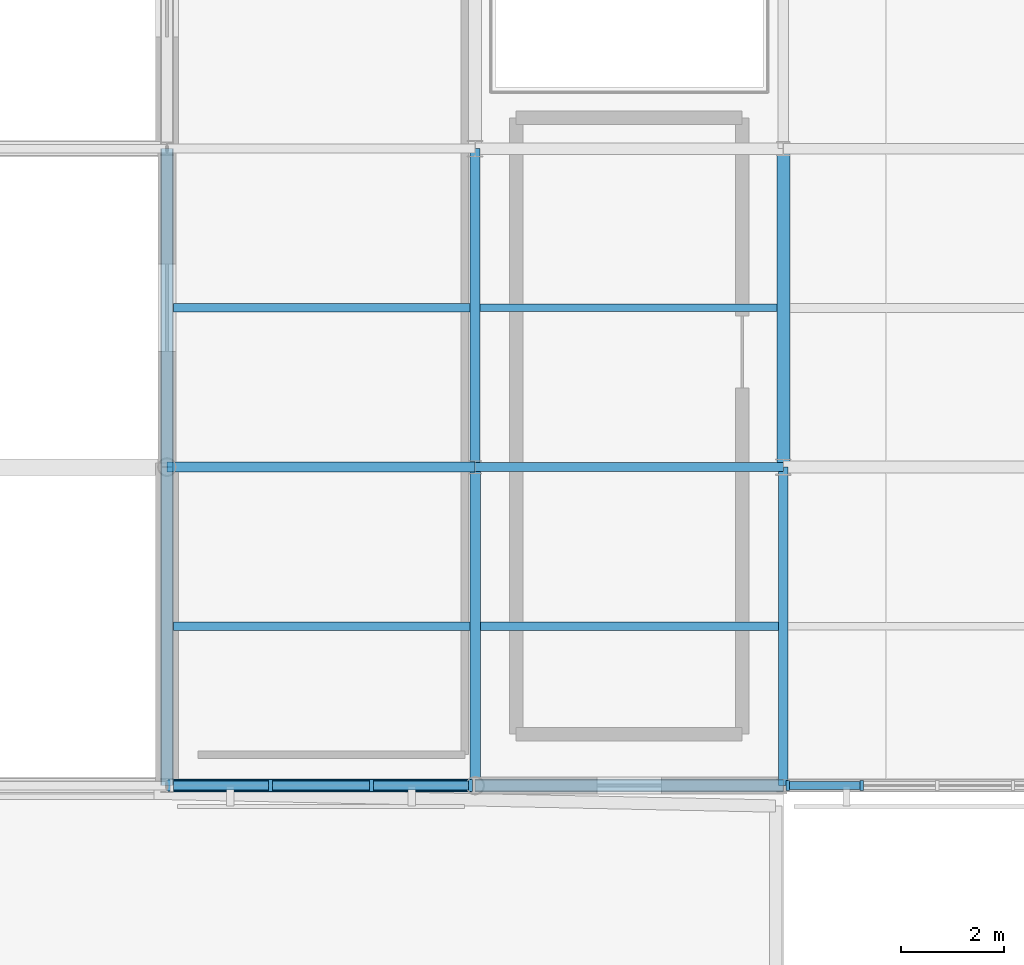
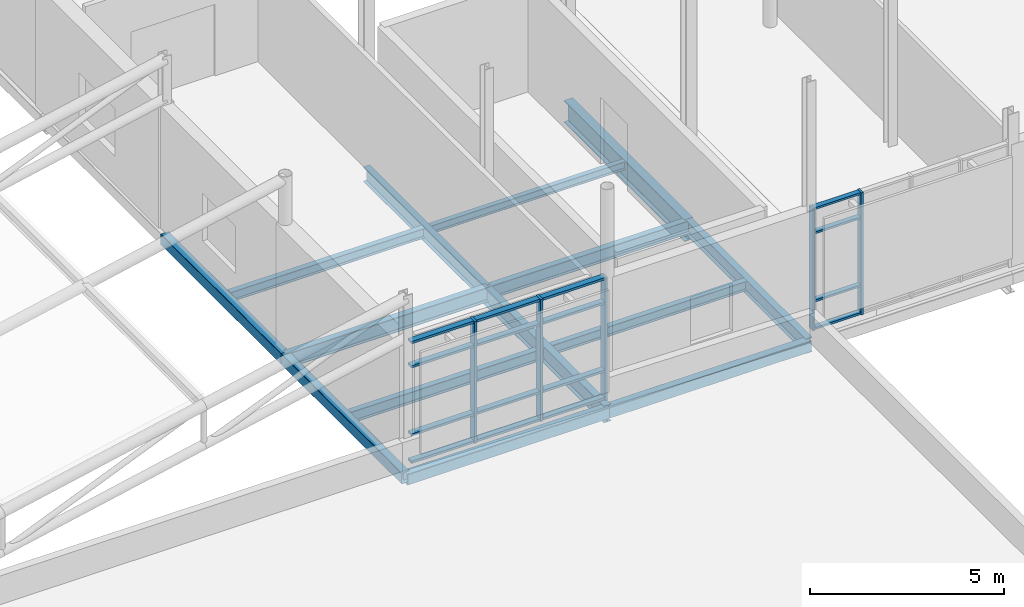
# One storey, part 20 of 84: 21 members, 14 beams, 2 elements without a shape of their own.
"""IFC4 building model written with IfcOpenShell, lengths in metres."""

from ifc_helpers import new_model, si_unit, direction, frame, origin, origin_2d, place, context, subcontext, project, spatial, rectangle, hollow_rectangle, i_section, extrude, material, layer, layer_set, material_profile, profile_set, type_object, element, aggregate, save


model = new_model("IFC4")

# Units and contexts
model_context = context("Model", 3, precision=1e-05, world=origin(), true_north=direction((0.0, 1.0)))
body_context = subcontext(model_context, "Body", "Model", "MODEL_VIEW")
ifc_project = project(units=[si_unit("LENGTHUNIT", "METRE"), si_unit("AREAUNIT", "SQUARE_METRE"), si_unit("VOLUMEUNIT", "CUBIC_METRE"), si_unit("PLANEANGLEUNIT", "RADIAN"), si_unit("MASSUNIT", "GRAM", prefix="KILO")], contexts=[model_context])

# Site, building, storey
site_placement = place(None, origin())
site = spatial("IfcSite", under=ifc_project, at=site_placement, CompositionType="ELEMENT")
building_placement = place(site_placement, origin())
building = spatial("IfcBuilding", under=site, at=building_placement, Name="Mirzam Square Science Centre", CompositionType="ELEMENT")
storey_placement = place(building_placement, frame((0.0, 0.0, 10.800048828125)))
storey = spatial("IfcBuildingStorey", under=building, at=storey_placement, Name="L02", CompositionType="ELEMENT", Elevation=10.800048828125)

# Beams
ifc_material_1 = material(Name="Steel S355", Category="steel")
ifc_material_profile_1 = material_profile(ifc_material_1, i_section(OverallWidth=0.1787109375, OverallDepth=0.409423828125, WebThickness=0.0087890625, FlangeThickness=0.014404296875, FilletRadius=0.01025390625, at=origin_2d()), Name="406x178x67UB")
ifc_profile_set_1 = profile_set([ifc_material_profile_1], Name="Steel S355")
beam_type_1 = type_object("IfcBeamType", Name="BM-UB406", PredefinedType="BEAM", material=ifc_profile_set_1)
beam_1_placement = place(storey_placement, frame((24.0, 43.39990234375, -0.46484375), z_axis=(1.0, 0.0, 0.0), x_axis=(0.0, 1.0, 0.0)))
element("IfcBeam", 1, at=beam_1_placement, inside=storey, type_object=beam_type_1, Name="L02 girder X5-8", PredefinedType="BEAM", context=body_context, shape_type="SweptSolid", body=[
    extrude(i_section(OverallWidth=0.1787109375, OverallDepth=0.409423828125, WebThickness=0.0087890625, FlangeThickness=0.014404296875, FilletRadius=0.01025390625, at=origin_2d()), origin(), (0.0, 0.0, 1.0), 6.0),
])
ifc_material_profile_2 = material_profile(ifc_material_1, i_section(OverallWidth=0.19140625, OverallDepth=0.4599609375, WebThickness=0.010009765625, FlangeThickness=0.01611328125, FilletRadius=0.01025390625, at=origin_2d()), Name="457x191x82UB")
ifc_profile_set_2 = profile_set([ifc_material_profile_2], Name="Steel S355")
beam_type_2 = type_object("IfcBeamType", Name="BM-UB457", PredefinedType="BEAM", material=ifc_profile_set_2)
beam_2_placement = place(storey_placement, frame((18.0, 43.39990234375, -0.489990234375), z_axis=(1.0, 0.0, 0.0), x_axis=(0.0, 1.0, 0.0)))
element("IfcBeam", 2, at=beam_2_placement, inside=storey, type_object=beam_type_2, Name="L02 girder X4-8", PredefinedType="BEAM", context=body_context, shape_type="SweptSolid", body=[
    extrude(i_section(OverallWidth=0.19140625, OverallDepth=0.4599609375, WebThickness=0.010009765625, FlangeThickness=0.01611328125, FilletRadius=0.01025390625, at=origin_2d()), origin(), (0.0, 0.0, 1.0), 6.0),
])
beam_3_placement = place(storey_placement, frame((24.0, 43.39990234375, -0.489990234375), z_axis=(0.0, 1.0, 0.0), x_axis=(-1.0, 0.0, 0.0)))
element("IfcBeam", 3, at=beam_3_placement, inside=storey, type_object=beam_type_2, Name="L02 girder Y5-8", PredefinedType="BEAM", context=body_context, shape_type="SweptSolid", body=[
    extrude(i_section(OverallWidth=0.19140625, OverallDepth=0.4599609375, WebThickness=0.010009765625, FlangeThickness=0.01611328125, FilletRadius=0.01025390625, at=origin_2d()), origin(), (0.0, 0.0, 1.0), 6.2001953125),
])
beam_4_placement = place(storey_placement, frame((30.0, 37.199951171875, -0.489990234375), z_axis=(0.0, 1.0, 0.0), x_axis=(-1.0, 0.0, 0.0)))
element("IfcBeam", 4, at=beam_4_placement, inside=storey, type_object=beam_type_2, Name="L02 girder Y6-7", PredefinedType="BEAM", context=body_context, shape_type="SweptSolid", body=[
    extrude(i_section(OverallWidth=0.19140625, OverallDepth=0.4599609375, WebThickness=0.010009765625, FlangeThickness=0.01611328125, FilletRadius=0.01025390625, at=origin_2d()), origin(), (0.0, 0.0, 1.0), 6.199951171875),
])
ifc_material_profile_3 = material_profile(ifc_material_1, i_section(OverallWidth=0.2099609375, OverallDepth=0.53662109375, WebThickness=0.0107421875, FlangeThickness=0.017333984375, FilletRadius=0.0126953125, at=origin_2d()), Name="533x210x101UB")
ifc_profile_set_3 = profile_set([ifc_material_profile_3], Name="Steel S355")
beam_type_3 = type_object("IfcBeamType", Name="BM-UB533", PredefinedType="BEAM", material=ifc_profile_set_3)
beam_5_placement = place(storey_placement, frame((24.0, 37.199951171875, -0.528564453125), z_axis=(0.0, 1.0, 0.0), x_axis=(-1.0, 0.0, 0.0)))
element("IfcBeam", 5, at=beam_5_placement, inside=storey, type_object=beam_type_3, Name="L02 girder Y5-7", PredefinedType="BEAM", context=body_context, shape_type="SweptSolid", body=[
    extrude(i_section(OverallWidth=0.2099609375, OverallDepth=0.53662109375, WebThickness=0.0107421875, FlangeThickness=0.017333984375, FilletRadius=0.0126953125, at=origin_2d()), origin(), (0.0, 0.0, 1.0), 6.199951171875),
])
ifc_material_profile_4 = material_profile(ifc_material_1, i_section(OverallWidth=0.25439453125, OverallDepth=0.6875, WebThickness=0.01318359375, FlangeThickness=0.02099609375, FilletRadius=0.01513671875, at=origin_2d()), Name="686x254x152UB")
ifc_profile_set_4 = profile_set([ifc_material_profile_4], Name="Steel S355")
beam_type_4 = type_object("IfcBeamType", Name="BM-UB686", PredefinedType="BEAM", material=ifc_profile_set_4)
beam_6_placement = place(storey_placement, frame((30.0, 43.39990234375, -0.603759765625), z_axis=(0.0, 1.0, 0.0), x_axis=(-1.0, 0.0, 0.0)))
element("IfcBeam", 6, at=beam_6_placement, inside=storey, type_object=beam_type_4, Name="L02 girder Y6-8", PredefinedType="BEAM", context=body_context, shape_type="SweptSolid", body=[
    extrude(i_section(OverallWidth=0.25439453125, OverallDepth=0.6875, WebThickness=0.01318359375, FlangeThickness=0.02099609375, FilletRadius=0.01513671875, at=origin_2d()), origin(), (0.0, 0.0, 1.0), 6.2001953125),
])

# Curtain wall, members
ifc_material_2 = material(Name="Anodised Aluminium and Low-E Solar Glass", Category="aluminium")
ifc_layer_1 = layer(ifc_material_2, 0.179931640625)
ifc_layer_set_1 = layer_set([ifc_layer_1], Name="CW-LINK-A")
curtain_wall_type_1 = type_object("IfcCurtainWallType", Name="CW-LINK-A", PredefinedType="USERDEFINED", material=ifc_layer_set_1)
curtain_wall_1_placement = place(storey_placement, origin())
curtain_wall_1 = element("IfcCurtainWall", 7, at=curtain_wall_1_placement, inside=storey, type_object=curtain_wall_type_1, Name="L02 unitised curtain wall 28", ObjectType="UNITISED CURTAIN WALL", PredefinedType="USERDEFINED")
ifc_material_3 = material(Name="Anodised Architectural Aluminium 6063-T6", Category="aluminium")
ifc_material_profile_5 = material_profile(ifc_material_3, rectangle(XDim=0.06494140625, YDim=0.199951171875, at=origin_2d()), Name="ALU-MULL-200x65x5")
ifc_profile_set_5 = profile_set([ifc_material_profile_5], Name="Anodised Architectural Aluminium 6063-T6")
member_type_1 = type_object("IfcMemberType", Name="CWM-200", PredefinedType="MULLION", material=ifc_profile_set_5)
member_1_placement = place(storey_placement, frame((30.08740234375, 37.199951171875, 0.0), z_axis=(0.0, 0.0, 1.0), x_axis=(1.0, 0.0, 0.0)))
member_1 = element("IfcMember", 8, at=member_1_placement, type_object=member_type_1, Name="CW-08 mullion 1", PredefinedType="MULLION", context=body_context, shape_type="SweptSolid", body=[
    extrude(rectangle(XDim=0.06494140625, YDim=0.199951171875, at=origin_2d()), origin(), (0.0, 0.0, 1.0), 3.83984375),
])
member_2_placement = place(storey_placement, frame((31.527587890625, 37.199951171875, 0.0), z_axis=(0.0, 0.0, 1.0), x_axis=(1.0, 0.0, 0.0)))
member_2 = element("IfcMember", 9, at=member_2_placement, type_object=member_type_1, Name="CW-08 mullion 2", PredefinedType="MULLION", context=body_context, shape_type="SweptSolid", body=[
    extrude(rectangle(XDim=0.06494140625, YDim=0.199951171875, at=origin_2d()), origin(), (0.0, 0.0, 1.0), 3.83984375),
])

ifc_layer_2 = layer(ifc_material_2, 0.239990234375)
ifc_layer_set_2 = layer_set([ifc_layer_2], Name="CW-EAST-B")
curtain_wall_type_2 = type_object("IfcCurtainWallType", Name="CW-EAST-B", PredefinedType="USERDEFINED", material=ifc_layer_set_2)
curtain_wall_2_placement = place(storey_placement, origin())
curtain_wall_2 = element("IfcCurtainWall", 10, at=curtain_wall_2_placement, inside=storey, type_object=curtain_wall_type_2, Name="L02 unitised curtain wall 27", ObjectType="UNITISED CURTAIN WALL", PredefinedType="USERDEFINED")
ifc_material_profile_6 = material_profile(ifc_material_3, rectangle(XDim=0.074951171875, YDim=0.239990234375, at=origin_2d()), Name="ALU-MULL-240x75x5")
ifc_profile_set_6 = profile_set([ifc_material_profile_6], Name="Anodised Architectural Aluminium 6063-T6")
member_type_2 = type_object("IfcMemberType", Name="CWM-240", PredefinedType="MULLION", material=ifc_profile_set_6)
member_3_placement = place(storey_placement, frame((20.018310546875, 37.199951171875, 0.0), z_axis=(0.0, 0.0, 1.0), x_axis=(1.0, 0.0, 0.0)))
member_3 = element("IfcMember", 11, at=member_3_placement, type_object=member_type_2, Name="CW-06 mullion 2", PredefinedType="MULLION", context=body_context, shape_type="SweptSolid", body=[
    extrude(rectangle(XDim=0.074951171875, YDim=0.239990234375, at=origin_2d()), origin(), (0.0, 0.0, 1.0), 3.83984375),
])
member_4_placement = place(storey_placement, frame((21.981689453125, 37.199951171875, 0.0), z_axis=(0.0, 0.0, 1.0), x_axis=(1.0, 0.0, 0.0)))
member_4 = element("IfcMember", 12, at=member_4_placement, type_object=member_type_2, Name="CW-06 mullion 3", PredefinedType="MULLION", context=body_context, shape_type="SweptSolid", body=[
    extrude(rectangle(XDim=0.074951171875, YDim=0.239990234375, at=origin_2d()), origin(), (0.0, 0.0, 1.0), 3.83984375),
])
member_5_placement = place(storey_placement, frame((23.907470703125, 37.199951171875, 0.0), z_axis=(0.0, 0.0, 1.0), x_axis=(1.0, 0.0, 0.0)))
member_5 = element("IfcMember", 13, at=member_5_placement, type_object=member_type_2, Name="CW-06 mullion 4", PredefinedType="MULLION", context=body_context, shape_type="SweptSolid", body=[
    extrude(rectangle(XDim=0.074951171875, YDim=0.239990234375, at=origin_2d()), origin(), (0.0, 0.0, 1.0), 3.83984375),
])

# Member
ifc_material_profile_7 = material_profile(ifc_material_3, rectangle(XDim=0.14990234375, YDim=0.06494140625, at=origin_2d()), Name="ALU-TRAN-150x65x4")
ifc_profile_set_7 = profile_set([ifc_material_profile_7], Name="Anodised Architectural Aluminium 6063-T6")
member_type_3 = type_object("IfcMemberType", Name="CWT-150", PredefinedType="USERDEFINED", material=ifc_profile_set_7)
member_6_placement = place(storey_placement, frame((30.1201171875, 37.199951171875, 0.032470703125), z_axis=(1.0, 0.0, 0.0), x_axis=(0.0, 1.0, 0.0)))
member_6 = element("IfcMember", 14, at=member_6_placement, type_object=member_type_3, Name="CW-08 transom 1.1", ObjectType="TRANSOM", PredefinedType="USERDEFINED", context=body_context, shape_type="SweptSolid", body=[
    extrude(rectangle(XDim=0.14990234375, YDim=0.06494140625, at=origin_2d()), origin(), (0.0, 0.0, 1.0), 1.375),
])

member_7_placement = place(storey_placement, frame((30.1201171875, 37.199951171875, 0.89990234375), z_axis=(1.0, 0.0, 0.0), x_axis=(0.0, 1.0, 0.0)))
member_7 = element("IfcMember", 15, at=member_7_placement, type_object=member_type_3, Name="CW-08 transom 1.2", ObjectType="TRANSOM", PredefinedType="USERDEFINED", context=body_context, shape_type="SweptSolid", body=[
    extrude(rectangle(XDim=0.14990234375, YDim=0.06494140625, at=origin_2d()), origin(), (0.0, 0.0, 1.0), 1.375),
])

member_8_placement = place(storey_placement, frame((30.1201171875, 37.199951171875, 3.0400390625), z_axis=(1.0, 0.0, 0.0), x_axis=(0.0, 1.0, 0.0)))
member_8 = element("IfcMember", 16, at=member_8_placement, type_object=member_type_3, Name="CW-08 transom 1.3", ObjectType="TRANSOM", PredefinedType="USERDEFINED", context=body_context, shape_type="SweptSolid", body=[
    extrude(rectangle(XDim=0.14990234375, YDim=0.06494140625, at=origin_2d()), origin(), (0.0, 0.0, 1.0), 1.375),
])

member_9_placement = place(storey_placement, frame((30.1201171875, 37.199951171875, 3.807373046875), z_axis=(1.0, 0.0, 0.0), x_axis=(0.0, 1.0, 0.0)))
member_9 = element("IfcMember", 17, at=member_9_placement, type_object=member_type_3, Name="CW-08 transom 1.4", ObjectType="TRANSOM", PredefinedType="USERDEFINED", context=body_context, shape_type="SweptSolid", body=[
    extrude(rectangle(XDim=0.14990234375, YDim=0.06494140625, at=origin_2d()), origin(), (0.0, 0.0, 1.0), 1.375),
])

aggregate(curtain_wall_1, [member_1, member_2, member_6, member_7, member_8, member_9])

ifc_material_profile_8 = material_profile(ifc_material_3, rectangle(XDim=0.179931640625, YDim=0.074951171875, at=origin_2d()), Name="ALU-TRAN-180x75x5")
ifc_profile_set_8 = profile_set([ifc_material_profile_8], Name="Anodised Architectural Aluminium 6063-T6")
member_type_4 = type_object("IfcMemberType", Name="CWT-180", PredefinedType="USERDEFINED", material=ifc_profile_set_8)
member_10_placement = place(storey_placement, frame((18.1298828125, 37.199951171875, 0.037353515625), z_axis=(1.0, 0.0, 0.0), x_axis=(0.0, 1.0, 0.0)))
member_10 = element("IfcMember", 18, at=member_10_placement, type_object=member_type_4, Name="CW-06 transom 1.1", ObjectType="TRANSOM", PredefinedType="USERDEFINED", context=body_context, shape_type="SweptSolid", body=[
    extrude(rectangle(XDim=0.179931640625, YDim=0.074951171875, at=origin_2d()), origin(), (0.0, 0.0, 1.0), 1.850830078125),
])

member_11_placement = place(storey_placement, frame((18.1298828125, 37.199951171875, 0.89990234375), z_axis=(1.0, 0.0, 0.0), x_axis=(0.0, 1.0, 0.0)))
member_11 = element("IfcMember", 19, at=member_11_placement, type_object=member_type_4, Name="CW-06 transom 1.2", ObjectType="TRANSOM", PredefinedType="USERDEFINED", context=body_context, shape_type="SweptSolid", body=[
    extrude(rectangle(XDim=0.179931640625, YDim=0.074951171875, at=origin_2d()), origin(), (0.0, 0.0, 1.0), 1.850830078125),
])

member_12_placement = place(storey_placement, frame((18.1298828125, 37.199951171875, 3.0400390625), z_axis=(1.0, 0.0, 0.0), x_axis=(0.0, 1.0, 0.0)))
member_12 = element("IfcMember", 20, at=member_12_placement, type_object=member_type_4, Name="CW-06 transom 1.3", ObjectType="TRANSOM", PredefinedType="USERDEFINED", context=body_context, shape_type="SweptSolid", body=[
    extrude(rectangle(XDim=0.179931640625, YDim=0.074951171875, at=origin_2d()), origin(), (0.0, 0.0, 1.0), 1.850830078125),
])

member_13_placement = place(storey_placement, frame((18.1298828125, 37.199951171875, 3.802490234375), z_axis=(1.0, 0.0, 0.0), x_axis=(0.0, 1.0, 0.0)))
member_13 = element("IfcMember", 21, at=member_13_placement, type_object=member_type_4, Name="CW-06 transom 1.4", ObjectType="TRANSOM", PredefinedType="USERDEFINED", context=body_context, shape_type="SweptSolid", body=[
    extrude(rectangle(XDim=0.179931640625, YDim=0.074951171875, at=origin_2d()), origin(), (0.0, 0.0, 1.0), 1.850830078125),
])

member_14_placement = place(storey_placement, frame((20.055908203125, 37.199951171875, 0.037353515625), z_axis=(1.0, 0.0, 0.0), x_axis=(0.0, 1.0, 0.0)))
member_14 = element("IfcMember", 22, at=member_14_placement, type_object=member_type_4, Name="CW-06 transom 2.1", ObjectType="TRANSOM", PredefinedType="USERDEFINED", context=body_context, shape_type="SweptSolid", body=[
    extrude(rectangle(XDim=0.179931640625, YDim=0.074951171875, at=origin_2d()), origin(), (0.0, 0.0, 1.0), 1.88818359375),
])

member_15_placement = place(storey_placement, frame((20.055908203125, 37.199951171875, 0.89990234375), z_axis=(1.0, 0.0, 0.0), x_axis=(0.0, 1.0, 0.0)))
member_15 = element("IfcMember", 23, at=member_15_placement, type_object=member_type_4, Name="CW-06 transom 2.2", ObjectType="TRANSOM", PredefinedType="USERDEFINED", context=body_context, shape_type="SweptSolid", body=[
    extrude(rectangle(XDim=0.179931640625, YDim=0.074951171875, at=origin_2d()), origin(), (0.0, 0.0, 1.0), 1.88818359375),
])

member_16_placement = place(storey_placement, frame((20.055908203125, 37.199951171875, 3.0400390625), z_axis=(1.0, 0.0, 0.0), x_axis=(0.0, 1.0, 0.0)))
member_16 = element("IfcMember", 24, at=member_16_placement, type_object=member_type_4, Name="CW-06 transom 2.3", ObjectType="TRANSOM", PredefinedType="USERDEFINED", context=body_context, shape_type="SweptSolid", body=[
    extrude(rectangle(XDim=0.179931640625, YDim=0.074951171875, at=origin_2d()), origin(), (0.0, 0.0, 1.0), 1.88818359375),
])

member_17_placement = place(storey_placement, frame((20.055908203125, 37.199951171875, 3.802490234375), z_axis=(1.0, 0.0, 0.0), x_axis=(0.0, 1.0, 0.0)))
member_17 = element("IfcMember", 25, at=member_17_placement, type_object=member_type_4, Name="CW-06 transom 2.4", ObjectType="TRANSOM", PredefinedType="USERDEFINED", context=body_context, shape_type="SweptSolid", body=[
    extrude(rectangle(XDim=0.179931640625, YDim=0.074951171875, at=origin_2d()), origin(), (0.0, 0.0, 1.0), 1.88818359375),
])

member_18_placement = place(storey_placement, frame((22.019287109375, 37.199951171875, 0.037353515625), z_axis=(1.0, 0.0, 0.0), x_axis=(0.0, 1.0, 0.0)))
member_18 = element("IfcMember", 26, at=member_18_placement, type_object=member_type_4, Name="CW-06 transom 3.1", ObjectType="TRANSOM", PredefinedType="USERDEFINED", context=body_context, shape_type="SweptSolid", body=[
    extrude(rectangle(XDim=0.179931640625, YDim=0.074951171875, at=origin_2d()), origin(), (0.0, 0.0, 1.0), 1.850830078125),
])

member_19_placement = place(storey_placement, frame((22.019287109375, 37.199951171875, 0.89990234375), z_axis=(1.0, 0.0, 0.0), x_axis=(0.0, 1.0, 0.0)))
member_19 = element("IfcMember", 27, at=member_19_placement, type_object=member_type_4, Name="CW-06 transom 3.2", ObjectType="TRANSOM", PredefinedType="USERDEFINED", context=body_context, shape_type="SweptSolid", body=[
    extrude(rectangle(XDim=0.179931640625, YDim=0.074951171875, at=origin_2d()), origin(), (0.0, 0.0, 1.0), 1.850830078125),
])

member_20_placement = place(storey_placement, frame((22.019287109375, 37.199951171875, 3.0400390625), z_axis=(1.0, 0.0, 0.0), x_axis=(0.0, 1.0, 0.0)))
member_20 = element("IfcMember", 28, at=member_20_placement, type_object=member_type_4, Name="CW-06 transom 3.3", ObjectType="TRANSOM", PredefinedType="USERDEFINED", context=body_context, shape_type="SweptSolid", body=[
    extrude(rectangle(XDim=0.179931640625, YDim=0.074951171875, at=origin_2d()), origin(), (0.0, 0.0, 1.0), 1.850830078125),
])

member_21_placement = place(storey_placement, frame((22.019287109375, 37.199951171875, 3.802490234375), z_axis=(1.0, 0.0, 0.0), x_axis=(0.0, 1.0, 0.0)))
member_21 = element("IfcMember", 29, at=member_21_placement, type_object=member_type_4, Name="CW-06 transom 3.4", ObjectType="TRANSOM", PredefinedType="USERDEFINED", context=body_context, shape_type="SweptSolid", body=[
    extrude(rectangle(XDim=0.179931640625, YDim=0.074951171875, at=origin_2d()), origin(), (0.0, 0.0, 1.0), 1.850830078125),
])

aggregate(curtain_wall_2, [member_3, member_4, member_5, member_10, member_11, member_12, member_13, member_14, member_15, member_16, member_17, member_18, member_19, member_20, member_21])

# Beams
ifc_material_profile_9 = material_profile(ifc_material_1, i_section(OverallWidth=0.146484375, OverallDepth=0.256103515625, WebThickness=0.00634765625, FlangeThickness=0.010986328125, FilletRadius=0.007568359375, at=origin_2d()), Name="254x146x37UB")
ifc_profile_set_9 = profile_set([ifc_material_profile_9], Name="Steel S355")
beam_type_5 = type_object("IfcBeamType", Name="JS-UB254", PredefinedType="JOIST", material=ifc_profile_set_9)
beam_7_placement = place(storey_placement, frame((24.095703125, 46.5, -0.387939453125), z_axis=(1.0, 0.0, 0.0), x_axis=(0.0, 1.0, 0.0)))
element("IfcBeam", 30, at=beam_7_placement, inside=storey, type_object=beam_type_5, Name="L02 composite joist 5-8", PredefinedType="JOIST", context=body_context, shape_type="SweptSolid", body=[
    extrude(i_section(OverallWidth=0.146484375, OverallDepth=0.256103515625, WebThickness=0.00634765625, FlangeThickness=0.010986328125, FilletRadius=0.007568359375, at=origin_2d()), origin(), (0.0, 0.0, 1.0), 5.777099609375),
])
ifc_material_profile_10 = material_profile(ifc_material_1, i_section(OverallWidth=0.165771484375, OverallDepth=0.306640625, WebThickness=0.006591796875, FlangeThickness=0.01171875, FilletRadius=0.0087890625, at=origin_2d()), Name="305x165x46UB")
ifc_profile_set_10 = profile_set([ifc_material_profile_10], Name="Steel S355")
beam_type_6 = type_object("IfcBeamType", Name="JS-UB305", PredefinedType="JOIST", material=ifc_profile_set_10)
beam_8_placement = place(storey_placement, frame((18.125, 46.5, -0.413330078125), z_axis=(1.0, 0.0, 0.0), x_axis=(0.0, 1.0, 0.0)))
element("IfcBeam", 31, at=beam_8_placement, inside=storey, type_object=beam_type_6, Name="L02 composite joist 4-8", PredefinedType="JOIST", context=body_context, shape_type="SweptSolid", body=[
    extrude(i_section(OverallWidth=0.165771484375, OverallDepth=0.306640625, WebThickness=0.006591796875, FlangeThickness=0.01171875, FilletRadius=0.0087890625, at=origin_2d()), origin(), (0.0, 0.0, 1.0), 5.779296875),
])
beam_9_placement = place(storey_placement, frame((24.10498046875, 40.300048828125, -0.413330078125), z_axis=(1.0, 0.0, 0.0), x_axis=(0.0, 1.0, 0.0)))
element("IfcBeam", 32, at=beam_9_placement, inside=storey, type_object=beam_type_6, Name="L02 composite joist 5-7", PredefinedType="JOIST", context=body_context, shape_type="SweptSolid", body=[
    extrude(i_section(OverallWidth=0.165771484375, OverallDepth=0.306640625, WebThickness=0.006591796875, FlangeThickness=0.01171875, FilletRadius=0.0087890625, at=origin_2d()), origin(), (0.0, 0.0, 1.0), 5.79931640625),
])
ifc_material_profile_11 = material_profile(ifc_material_1, i_section(OverallWidth=0.172119140625, OverallDepth=0.35791015625, WebThickness=0.008056640625, FlangeThickness=0.012939453125, FilletRadius=0.01025390625, at=origin_2d()), Name="356x171x57UB")
ifc_profile_set_11 = profile_set([ifc_material_profile_11], Name="Steel S355")
beam_type_7 = type_object("IfcBeamType", Name="JS-UB356", PredefinedType="JOIST", material=ifc_profile_set_11)
beam_10_placement = place(storey_placement, frame((18.125, 40.300048828125, -0.43896484375), z_axis=(1.0, 0.0, 0.0), x_axis=(0.0, 1.0, 0.0)))
element("IfcBeam", 33, at=beam_10_placement, inside=storey, type_object=beam_type_7, Name="L02 composite joist 4-7", PredefinedType="JOIST", context=body_context, shape_type="SweptSolid", body=[
    extrude(i_section(OverallWidth=0.172119140625, OverallDepth=0.35791015625, WebThickness=0.008056640625, FlangeThickness=0.012939453125, FilletRadius=0.01025390625, at=origin_2d()), origin(), (0.0, 0.0, 1.0), 5.77001953125),
])
ifc_material_profile_12 = material_profile(ifc_material_1, hollow_rectangle(XDim=0.25, YDim=0.35009765625, WallThickness=0.012451171875, InnerFilletRadius=0.012451171875, OuterFilletRadius=0.02490234375, at=origin_2d()), Name="350x250x12.5RHS")
ifc_profile_set_12 = profile_set([ifc_material_profile_12], Name="Steel S355")
beam_type_8 = type_object("IfcBeamType", Name="SP-RHS350", PredefinedType="SPANDREL", material=ifc_profile_set_12)
for number, where, z_axis, x_axis, name in (
    (34, (18.0, 37.199951171875, -0.445068359375), (1.0, 0.0, 0.0), (0.0, 1.0, 0.0), "L02 girder X4-7"),
    (35, (24.0, 37.199951171875, -0.445068359375), (1.0, 0.0, 0.0), (0.0, 1.0, 0.0), "L02 girder X5-7"),
):
    element("IfcBeam", number, at=place(storey_placement, frame(where, z_axis=z_axis, x_axis=x_axis)), inside=storey, type_object=beam_type_8, Name=name, PredefinedType="SPANDREL", context=body_context, shape_type="SweptSolid", body=[
        extrude(hollow_rectangle(XDim=0.25, YDim=0.35009765625, WallThickness=0.012451171875, InnerFilletRadius=0.012451171875, OuterFilletRadius=0.02490234375, at=origin_2d()), origin(), (0.0, 0.0, 1.0), 6.0),
    ])
beam_11_placement = place(storey_placement, frame((18.0, 37.199951171875, -0.43505859375), z_axis=(0.0, 1.0, 0.0), x_axis=(-1.0, 0.0, 0.0)))
element("IfcBeam", 36, at=beam_11_placement, inside=storey, type_object=beam_type_8, Name="L02 girder Y4-7", PredefinedType="SPANDREL", context=body_context, shape_type="SweptSolid", body=[
    extrude(hollow_rectangle(XDim=0.25, YDim=0.35009765625, WallThickness=0.012451171875, InnerFilletRadius=0.012451171875, OuterFilletRadius=0.02490234375, at=origin_2d()), origin(), (0.0, 0.0, 1.0), 6.199951171875),
])
beam_12_placement = place(storey_placement, frame((18.0, 43.39990234375, -0.43505859375), z_axis=(0.0, 1.0, 0.0), x_axis=(-1.0, 0.0, 0.0)))
element("IfcBeam", 37, at=beam_12_placement, inside=storey, type_object=beam_type_8, Name="L02 girder Y4-8", PredefinedType="SPANDREL", context=body_context, shape_type="SweptSolid", body=[
    extrude(hollow_rectangle(XDim=0.25, YDim=0.35009765625, WallThickness=0.012451171875, InnerFilletRadius=0.012451171875, OuterFilletRadius=0.02490234375, at=origin_2d()), origin(), (0.0, 0.0, 1.0), 6.2001953125),
])

save(model, "model.ifc")
